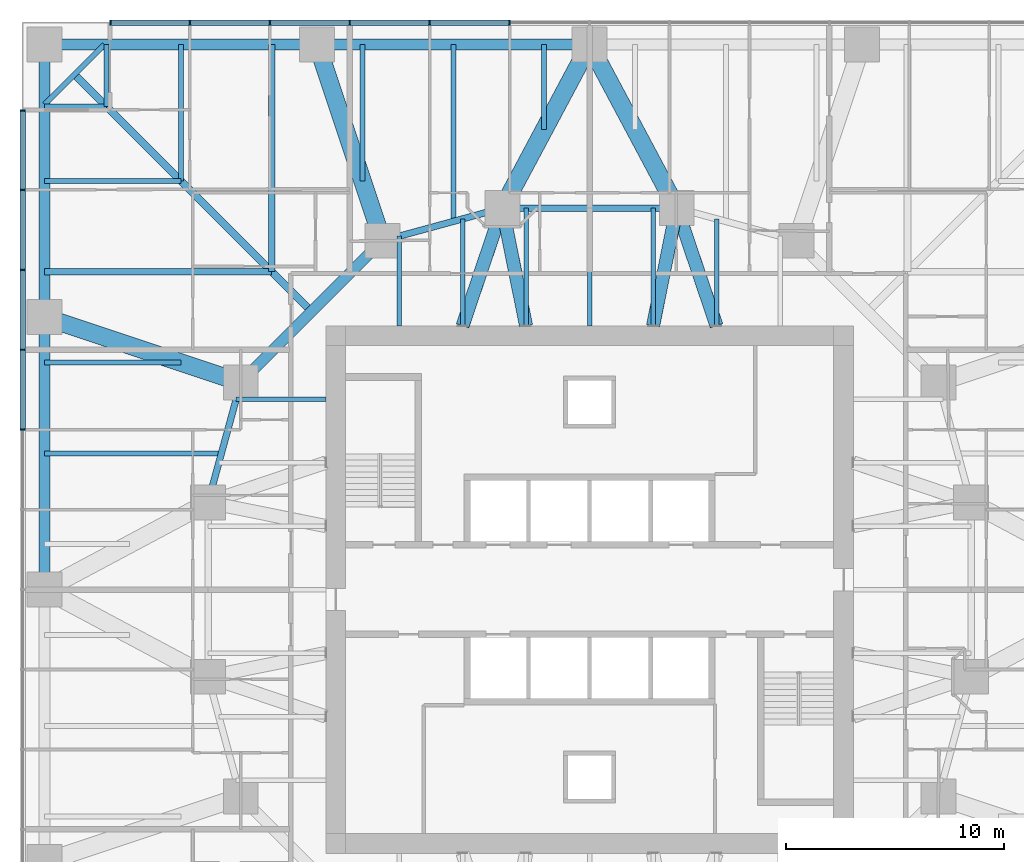
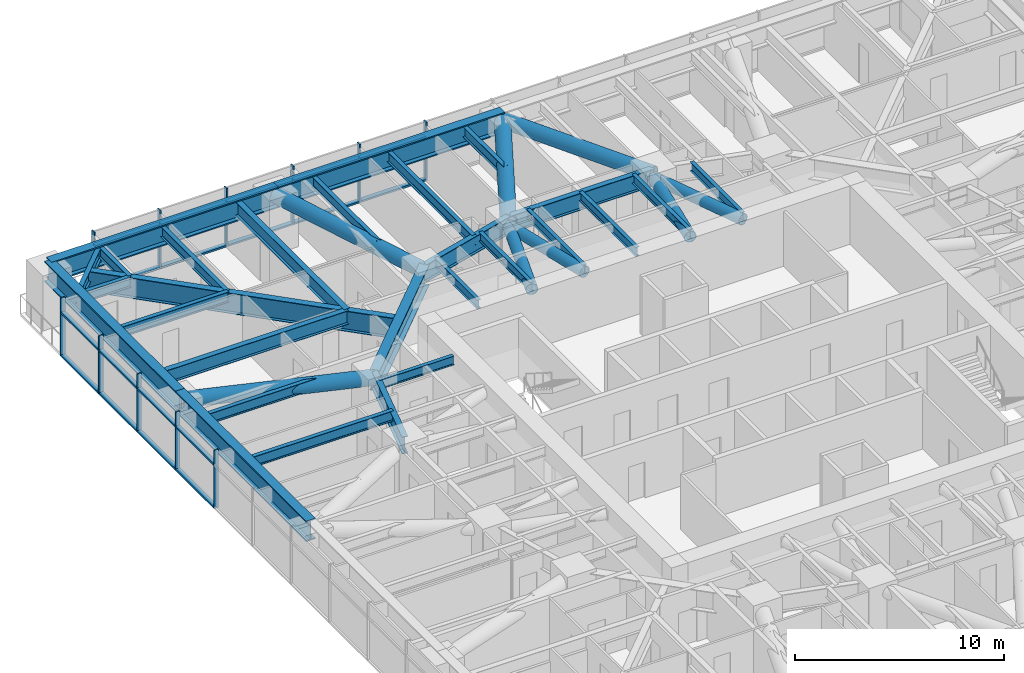
# One storey, part 6 of 17: 37 members, 28 beams, 2 elements without a shape of their own.
"""IFC4 building model written with IfcOpenShell, lengths in metres."""

from ifc_helpers import new_model, si_unit, direction, frame, origin, origin_2d, place, context, subcontext, project, spatial, rectangle, hollow_circle, i_section, extrude, material, material_profile, profile_set, type_object, element, aggregate, save


model = new_model("IFC4")

# Units and contexts
model_context = context("Model", 3, precision=1e-05, world=origin(), true_north=direction((0.0, 1.0)))
body_context = subcontext(model_context, "Body", "Model", "MODEL_VIEW")
ifc_project = project(units=[si_unit("LENGTHUNIT", "METRE"), si_unit("AREAUNIT", "SQUARE_METRE"), si_unit("VOLUMEUNIT", "CUBIC_METRE"), si_unit("PLANEANGLEUNIT", "RADIAN"), si_unit("MASSUNIT", "GRAM", prefix="KILO")], contexts=[model_context])

# Site, building, storey
site_placement = place(None, origin())
site = spatial("IfcSite", under=ifc_project, at=site_placement, CompositionType="ELEMENT")
building_placement = place(site_placement, origin())
building = spatial("IfcBuilding", under=site, at=building_placement, Name="Torsade Residences", CompositionType="ELEMENT")
storey_placement = place(building_placement, frame((0.0, 0.0, 38.800048828125)))
storey = spatial("IfcBuildingStorey", under=building, at=storey_placement, Name="L10", CompositionType="ELEMENT", Elevation=38.800048828125)

# Beams
ifc_material_1 = material(Name="Steel grade 300", Category="steel")
ifc_material_profile_1 = material_profile(ifc_material_1, i_section(OverallWidth=0.35009765625, OverallDepth=1.199951171875, WebThickness=0.01611328125, FlangeThickness=0.028076171875, at=origin_2d()), Name="1200WB278")
ifc_profile_set_1 = profile_set([ifc_material_profile_1], Name="Steel grade 300")
beam_type_1 = type_object("IfcBeamType", Name="CORNER GIRDER 1200WB278", PredefinedType="BEAM", material=ifc_profile_set_1)
beam_1_placement = place(storey_placement, frame((16.375, 53.625, 2.599853515625), z_axis=(0.707106781187, -0.707106781187, 0.0), x_axis=(0.707106781187, 0.707106781187, 0.0)))
element("IfcBeam", 1, at=beam_1_placement, inside=storey, type_object=beam_type_1, Name="Corner girder 13 L11", PredefinedType="BEAM", context=body_context, shape_type="SweptSolid", body=[
    extrude(i_section(OverallWidth=0.35009765625, OverallDepth=1.199951171875, WebThickness=0.01611328125, FlangeThickness=0.028076171875, at=origin_2d()), origin(), (0.0, 0.0, 1.0), 15.379638671875),
])
ifc_material_2 = material(Name="Steel grade 300", Category="steel")
ifc_material_profile_2 = material_profile(ifc_material_2, i_section(OverallWidth=0.25, OverallDepth=0.699951171875, WebThickness=0.010009765625, FlangeThickness=0.02001953125, at=origin_2d()), Name="700WB130")
ifc_profile_set_2 = profile_set([ifc_material_profile_2], Name="Steel grade 300")
beam_type_2 = type_object("IfcBeamType", Name="CORNER TRIMMER 700WB130", PredefinedType="BEAM", material=ifc_profile_set_2)
beam_2_placement = place(storey_placement, frame((15.0, 52.25, 2.849853515625), z_axis=(0.707106781187, 0.707106781187, 0.0), x_axis=(-0.707106781187, 0.707106781187, 0.0)))
element("IfcBeam", 2, at=beam_2_placement, inside=storey, type_object=beam_type_2, Name="Corner trimmer 13 L11", PredefinedType="BEAM", context=body_context, shape_type="SweptSolid", body=[
    extrude(i_section(OverallWidth=0.25, OverallDepth=0.699951171875, WebThickness=0.010009765625, FlangeThickness=0.02001953125, at=origin_2d()), origin(), (0.0, 0.0, 1.0), 3.88916015625),
])

# Curtain wall, members
ifc_material_3 = material(Name="Aluminium and glass", Category="aluminium")
curtain_wall_type = type_object("IfcCurtainWallType", Name="FRITTED GLASS CURTAIN WALL LOW ZONE", PredefinedType="NOTDEFINED", material=ifc_material_3)
curtain_wall_1_placement = place(storey_placement, origin())
curtain_wall_1 = element("IfcCurtainWall", 3, at=curtain_wall_1_placement, inside=storey, type_object=curtain_wall_type, Name="Curtain wall L10 face 7", PredefinedType="NOTDEFINED")
ifc_material_4 = material(Name="Aluminium mullion", Category="aluminium")
ifc_material_profile_3 = material_profile(ifc_material_4, rectangle(XDim=0.25, YDim=0.06494140625, at=origin_2d()), Name="CURTAIN WALL MULLION 250x65")
ifc_profile_set_3 = profile_set([ifc_material_profile_3], Name="Aluminium mullion")
member_type_1 = type_object("IfcMemberType", Name="CURTAIN WALL MULLION 250x65", PredefinedType="MULLION", material=ifc_profile_set_3)
member_1_placement = place(storey_placement, frame((36.333251953125, 56.0, 0.0), z_axis=(0.0, 0.0, 1.0), x_axis=(0.0, -1.0, 0.0)))
member_1 = element("IfcMember", 4, at=member_1_placement, type_object=member_type_1, Name="Mullion 8", PredefinedType="MULLION", context=body_context, shape_type="SweptSolid", body=[
    extrude(rectangle(XDim=0.25, YDim=0.06494140625, at=origin_2d()), origin(), (0.0, 0.0, 1.0), 3.39990234375),
])
member_2_placement = place(storey_placement, frame((32.666748046875, 56.0, 0.0), z_axis=(0.0, 0.0, 1.0), x_axis=(0.0, -1.0, 0.0)))
member_2 = element("IfcMember", 5, at=member_2_placement, type_object=member_type_1, Name="Mullion 9", PredefinedType="MULLION", context=body_context, shape_type="SweptSolid", body=[
    extrude(rectangle(XDim=0.25, YDim=0.06494140625, at=origin_2d()), origin(), (0.0, 0.0, 1.0), 3.39990234375),
])
member_3_placement = place(storey_placement, frame((29.0, 56.0, 0.0), z_axis=(0.0, 0.0, 1.0), x_axis=(0.0, -1.0, 0.0)))
member_3 = element("IfcMember", 6, at=member_3_placement, type_object=member_type_1, Name="Mullion 10", PredefinedType="MULLION", context=body_context, shape_type="SweptSolid", body=[
    extrude(rectangle(XDim=0.25, YDim=0.06494140625, at=origin_2d()), origin(), (0.0, 0.0, 1.0), 3.39990234375),
])
member_4_placement = place(storey_placement, frame((25.333251953125, 56.0, 0.0), z_axis=(0.0, 0.0, 1.0), x_axis=(0.0, -1.0, 0.0)))
member_4 = element("IfcMember", 7, at=member_4_placement, type_object=member_type_1, Name="Mullion 11", PredefinedType="MULLION", context=body_context, shape_type="SweptSolid", body=[
    extrude(rectangle(XDim=0.25, YDim=0.06494140625, at=origin_2d()), origin(), (0.0, 0.0, 1.0), 3.39990234375),
])
member_5_placement = place(storey_placement, frame((21.666748046875, 56.0, 0.0), z_axis=(0.0, 0.0, 1.0), x_axis=(0.0, -1.0, 0.0)))
member_5 = element("IfcMember", 8, at=member_5_placement, type_object=member_type_1, Name="Mullion 12", PredefinedType="MULLION", context=body_context, shape_type="SweptSolid", body=[
    extrude(rectangle(XDim=0.25, YDim=0.06494140625, at=origin_2d()), origin(), (0.0, 0.0, 1.0), 3.39990234375),
])
member_6_placement = place(storey_placement, frame((18.032470703125, 56.0, 0.0), z_axis=(0.0, 0.0, 1.0), x_axis=(0.0, -1.0, 0.0)))
member_6 = element("IfcMember", 9, at=member_6_placement, type_object=member_type_1, Name="Mullion 13", PredefinedType="MULLION", context=body_context, shape_type="SweptSolid", body=[
    extrude(rectangle(XDim=0.25, YDim=0.06494140625, at=origin_2d()), origin(), (0.0, 0.0, 1.0), 3.39990234375),
])

curtain_wall_2_placement = place(storey_placement, origin())
curtain_wall_2 = element("IfcCurtainWall", 10, at=curtain_wall_2_placement, inside=storey, type_object=curtain_wall_type, Name="Curtain wall L10 face 10", PredefinedType="NOTDEFINED")
member_7_placement = place(storey_placement, frame((14.0, 51.967529296875, 0.0), z_axis=(0.0, 0.0, 1.0), x_axis=(1.0, 0.0, 0.0)))
member_7 = element("IfcMember", 11, at=member_7_placement, type_object=member_type_1, Name="Mullion 1", PredefinedType="MULLION", context=body_context, shape_type="SweptSolid", body=[
    extrude(rectangle(XDim=0.25, YDim=0.06494140625, at=origin_2d()), origin(), (0.0, 0.0, 1.0), 3.39990234375),
])
member_8_placement = place(storey_placement, frame((14.0, 48.333251953125, 0.0), z_axis=(0.0, 0.0, 1.0), x_axis=(1.0, 0.0, 0.0)))
member_8 = element("IfcMember", 12, at=member_8_placement, type_object=member_type_1, Name="Mullion 2", PredefinedType="MULLION", context=body_context, shape_type="SweptSolid", body=[
    extrude(rectangle(XDim=0.25, YDim=0.06494140625, at=origin_2d()), origin(), (0.0, 0.0, 1.0), 3.39990234375),
])
member_9_placement = place(storey_placement, frame((14.0, 44.666748046875, 0.0), z_axis=(0.0, 0.0, 1.0), x_axis=(1.0, 0.0, 0.0)))
member_9 = element("IfcMember", 13, at=member_9_placement, type_object=member_type_1, Name="Mullion 3", PredefinedType="MULLION", context=body_context, shape_type="SweptSolid", body=[
    extrude(rectangle(XDim=0.25, YDim=0.06494140625, at=origin_2d()), origin(), (0.0, 0.0, 1.0), 3.39990234375),
])
member_10_placement = place(storey_placement, frame((14.0, 41.0, 0.0), z_axis=(0.0, 0.0, 1.0), x_axis=(1.0, 0.0, 0.0)))
member_10 = element("IfcMember", 14, at=member_10_placement, type_object=member_type_1, Name="Mullion 4", PredefinedType="MULLION", context=body_context, shape_type="SweptSolid", body=[
    extrude(rectangle(XDim=0.25, YDim=0.06494140625, at=origin_2d()), origin(), (0.0, 0.0, 1.0), 3.39990234375),
])
member_11_placement = place(storey_placement, frame((14.0, 37.333251953125, 0.0), z_axis=(0.0, 0.0, 1.0), x_axis=(1.0, 0.0, 0.0)))
member_11 = element("IfcMember", 15, at=member_11_placement, type_object=member_type_1, Name="Mullion 5", PredefinedType="MULLION", context=body_context, shape_type="SweptSolid", body=[
    extrude(rectangle(XDim=0.25, YDim=0.06494140625, at=origin_2d()), origin(), (0.0, 0.0, 1.0), 3.39990234375),
])

# Member
ifc_material_5 = material(Name="Aluminium transom", Category="aluminium")
ifc_material_profile_4 = material_profile(ifc_material_5, rectangle(XDim=0.25, YDim=0.10009765625, at=origin_2d()), Name="CURTAIN WALL TRANSOM 250x100")
ifc_profile_set_4 = profile_set([ifc_material_profile_4], Name="Aluminium transom")
member_type_2 = type_object("IfcMemberType", Name="CURTAIN WALL TRANSOM 250x100", PredefinedType="USERDEFINED", material=ifc_profile_set_4)
member_12_placement = place(storey_placement, frame((36.30078125, 56.0, 0.050048828125), z_axis=(-1.0, 0.0, 0.0), x_axis=(0.0, -1.0, 0.0)))
member_12 = element("IfcMember", 16, at=member_12_placement, type_object=member_type_2, Name="Transom 8.1", ObjectType="TRANSOM", PredefinedType="USERDEFINED", context=body_context, shape_type="SweptSolid", body=[
    extrude(rectangle(XDim=0.25, YDim=0.10009765625, at=origin_2d()), origin(), (0.0, 0.0, 1.0), 3.6015625),
])

member_13_placement = place(storey_placement, frame((36.30078125, 56.0, 2.550048828125), z_axis=(-1.0, 0.0, 0.0), x_axis=(0.0, -1.0, 0.0)))
member_13 = element("IfcMember", 17, at=member_13_placement, type_object=member_type_2, Name="Transom 8.2", ObjectType="TRANSOM", PredefinedType="USERDEFINED", context=body_context, shape_type="SweptSolid", body=[
    extrude(rectangle(XDim=0.25, YDim=0.10009765625, at=origin_2d()), origin(), (0.0, 0.0, 1.0), 3.6015625),
])

member_14_placement = place(storey_placement, frame((32.63427734375, 56.0, 0.050048828125), z_axis=(-1.0, 0.0, 0.0), x_axis=(0.0, -1.0, 0.0)))
member_14 = element("IfcMember", 18, at=member_14_placement, type_object=member_type_2, Name="Transom 9.1", ObjectType="TRANSOM", PredefinedType="USERDEFINED", context=body_context, shape_type="SweptSolid", body=[
    extrude(rectangle(XDim=0.25, YDim=0.10009765625, at=origin_2d()), origin(), (0.0, 0.0, 1.0), 3.601806640625),
])

member_15_placement = place(storey_placement, frame((32.63427734375, 56.0, 2.550048828125), z_axis=(-1.0, 0.0, 0.0), x_axis=(0.0, -1.0, 0.0)))
member_15 = element("IfcMember", 19, at=member_15_placement, type_object=member_type_2, Name="Transom 9.2", ObjectType="TRANSOM", PredefinedType="USERDEFINED", context=body_context, shape_type="SweptSolid", body=[
    extrude(rectangle(XDim=0.25, YDim=0.10009765625, at=origin_2d()), origin(), (0.0, 0.0, 1.0), 3.601806640625),
])

member_16_placement = place(storey_placement, frame((28.967529296875, 56.0, 0.050048828125), z_axis=(-1.0, 0.0, 0.0), x_axis=(0.0, -1.0, 0.0)))
member_16 = element("IfcMember", 20, at=member_16_placement, type_object=member_type_2, Name="Transom 10.1", ObjectType="TRANSOM", PredefinedType="USERDEFINED", context=body_context, shape_type="SweptSolid", body=[
    extrude(rectangle(XDim=0.25, YDim=0.10009765625, at=origin_2d()), origin(), (0.0, 0.0, 1.0), 3.601806640625),
])

member_17_placement = place(storey_placement, frame((28.967529296875, 56.0, 2.550048828125), z_axis=(-1.0, 0.0, 0.0), x_axis=(0.0, -1.0, 0.0)))
member_17 = element("IfcMember", 21, at=member_17_placement, type_object=member_type_2, Name="Transom 10.2", ObjectType="TRANSOM", PredefinedType="USERDEFINED", context=body_context, shape_type="SweptSolid", body=[
    extrude(rectangle(XDim=0.25, YDim=0.10009765625, at=origin_2d()), origin(), (0.0, 0.0, 1.0), 3.601806640625),
])

member_18_placement = place(storey_placement, frame((25.30078125, 56.0, 0.050048828125), z_axis=(-1.0, 0.0, 0.0), x_axis=(0.0, -1.0, 0.0)))
member_18 = element("IfcMember", 22, at=member_18_placement, type_object=member_type_2, Name="Transom 11.1", ObjectType="TRANSOM", PredefinedType="USERDEFINED", context=body_context, shape_type="SweptSolid", body=[
    extrude(rectangle(XDim=0.25, YDim=0.10009765625, at=origin_2d()), origin(), (0.0, 0.0, 1.0), 3.6015625),
])

member_19_placement = place(storey_placement, frame((25.30078125, 56.0, 2.550048828125), z_axis=(-1.0, 0.0, 0.0), x_axis=(0.0, -1.0, 0.0)))
member_19 = element("IfcMember", 23, at=member_19_placement, type_object=member_type_2, Name="Transom 11.2", ObjectType="TRANSOM", PredefinedType="USERDEFINED", context=body_context, shape_type="SweptSolid", body=[
    extrude(rectangle(XDim=0.25, YDim=0.10009765625, at=origin_2d()), origin(), (0.0, 0.0, 1.0), 3.6015625),
])

member_20_placement = place(storey_placement, frame((21.63427734375, 56.0, 0.050048828125), z_axis=(-1.0, 0.0, 0.0), x_axis=(0.0, -1.0, 0.0)))
member_20 = element("IfcMember", 24, at=member_20_placement, type_object=member_type_2, Name="Transom 12.1", ObjectType="TRANSOM", PredefinedType="USERDEFINED", context=body_context, shape_type="SweptSolid", body=[
    extrude(rectangle(XDim=0.25, YDim=0.10009765625, at=origin_2d()), origin(), (0.0, 0.0, 1.0), 3.5693359375),
])

member_21_placement = place(storey_placement, frame((21.63427734375, 56.0, 2.550048828125), z_axis=(-1.0, 0.0, 0.0), x_axis=(0.0, -1.0, 0.0)))
member_21 = element("IfcMember", 25, at=member_21_placement, type_object=member_type_2, Name="Transom 12.2", ObjectType="TRANSOM", PredefinedType="USERDEFINED", context=body_context, shape_type="SweptSolid", body=[
    extrude(rectangle(XDim=0.25, YDim=0.10009765625, at=origin_2d()), origin(), (0.0, 0.0, 1.0), 3.5693359375),
])

aggregate(curtain_wall_1, [member_1, member_2, member_3, member_4, member_5, member_6, member_12, member_13, member_14, member_15, member_16, member_17, member_18, member_19, member_20, member_21])

member_22_placement = place(storey_placement, frame((14.0, 51.93505859375, 0.050048828125), z_axis=(0.0, -1.0, 0.0), x_axis=(1.0, 0.0, 0.0)))
member_22 = element("IfcMember", 26, at=member_22_placement, type_object=member_type_2, Name="Transom 1.1", ObjectType="TRANSOM", PredefinedType="USERDEFINED", context=body_context, shape_type="SweptSolid", body=[
    extrude(rectangle(XDim=0.25, YDim=0.10009765625, at=origin_2d()), origin(), (0.0, 0.0, 1.0), 3.5693359375),
])

member_23_placement = place(storey_placement, frame((14.0, 51.93505859375, 2.550048828125), z_axis=(0.0, -1.0, 0.0), x_axis=(1.0, 0.0, 0.0)))
member_23 = element("IfcMember", 27, at=member_23_placement, type_object=member_type_2, Name="Transom 1.2", ObjectType="TRANSOM", PredefinedType="USERDEFINED", context=body_context, shape_type="SweptSolid", body=[
    extrude(rectangle(XDim=0.25, YDim=0.10009765625, at=origin_2d()), origin(), (0.0, 0.0, 1.0), 3.5693359375),
])

member_24_placement = place(storey_placement, frame((14.0, 48.30078125, 0.050048828125), z_axis=(0.0, -1.0, 0.0), x_axis=(1.0, 0.0, 0.0)))
member_24 = element("IfcMember", 28, at=member_24_placement, type_object=member_type_2, Name="Transom 2.1", ObjectType="TRANSOM", PredefinedType="USERDEFINED", context=body_context, shape_type="SweptSolid", body=[
    extrude(rectangle(XDim=0.25, YDim=0.10009765625, at=origin_2d()), origin(), (0.0, 0.0, 1.0), 3.6015625),
])

member_25_placement = place(storey_placement, frame((14.0, 48.30078125, 2.550048828125), z_axis=(0.0, -1.0, 0.0), x_axis=(1.0, 0.0, 0.0)))
member_25 = element("IfcMember", 29, at=member_25_placement, type_object=member_type_2, Name="Transom 2.2", ObjectType="TRANSOM", PredefinedType="USERDEFINED", context=body_context, shape_type="SweptSolid", body=[
    extrude(rectangle(XDim=0.25, YDim=0.10009765625, at=origin_2d()), origin(), (0.0, 0.0, 1.0), 3.6015625),
])

member_26_placement = place(storey_placement, frame((14.0, 44.63427734375, 0.050048828125), z_axis=(0.0, -1.0, 0.0), x_axis=(1.0, 0.0, 0.0)))
member_26 = element("IfcMember", 30, at=member_26_placement, type_object=member_type_2, Name="Transom 3.1", ObjectType="TRANSOM", PredefinedType="USERDEFINED", context=body_context, shape_type="SweptSolid", body=[
    extrude(rectangle(XDim=0.25, YDim=0.10009765625, at=origin_2d()), origin(), (0.0, 0.0, 1.0), 3.601806640625),
])

member_27_placement = place(storey_placement, frame((14.0, 44.63427734375, 2.550048828125), z_axis=(0.0, -1.0, 0.0), x_axis=(1.0, 0.0, 0.0)))
member_27 = element("IfcMember", 31, at=member_27_placement, type_object=member_type_2, Name="Transom 3.2", ObjectType="TRANSOM", PredefinedType="USERDEFINED", context=body_context, shape_type="SweptSolid", body=[
    extrude(rectangle(XDim=0.25, YDim=0.10009765625, at=origin_2d()), origin(), (0.0, 0.0, 1.0), 3.601806640625),
])

member_28_placement = place(storey_placement, frame((14.0, 40.967529296875, 0.050048828125), z_axis=(0.0, -1.0, 0.0), x_axis=(1.0, 0.0, 0.0)))
member_28 = element("IfcMember", 32, at=member_28_placement, type_object=member_type_2, Name="Transom 4.1", ObjectType="TRANSOM", PredefinedType="USERDEFINED", context=body_context, shape_type="SweptSolid", body=[
    extrude(rectangle(XDim=0.25, YDim=0.10009765625, at=origin_2d()), origin(), (0.0, 0.0, 1.0), 3.601806640625),
])

member_29_placement = place(storey_placement, frame((14.0, 40.967529296875, 2.550048828125), z_axis=(0.0, -1.0, 0.0), x_axis=(1.0, 0.0, 0.0)))
member_29 = element("IfcMember", 33, at=member_29_placement, type_object=member_type_2, Name="Transom 4.2", ObjectType="TRANSOM", PredefinedType="USERDEFINED", context=body_context, shape_type="SweptSolid", body=[
    extrude(rectangle(XDim=0.25, YDim=0.10009765625, at=origin_2d()), origin(), (0.0, 0.0, 1.0), 3.601806640625),
])

aggregate(curtain_wall_2, [member_7, member_8, member_9, member_10, member_11, member_22, member_23, member_24, member_25, member_26, member_27, member_28, member_29])

# Beams
ifc_material_6 = material(Name="Steel grade 300", Category="steel")
ifc_material_profile_5 = material_profile(ifc_material_6, i_section(OverallWidth=0.208984375, OverallDepth=0.528076171875, WebThickness=0.009521484375, FlangeThickness=0.01318359375, FilletRadius=0.013916015625, at=origin_2d()), Name="530UB82.0")
ifc_profile_set_5 = profile_set([ifc_material_profile_5], Name="Steel grade 300")
beam_type_3 = type_object("IfcBeamType", Name="INNER FLOOR BEAM 530UB82.0", PredefinedType="JOIST", material=ifc_profile_set_5)
beam_3_placement = place(storey_placement, frame((31.262451171875, 42.10009765625, 2.93603515625), z_axis=(0.0, 1.0, 0.0), x_axis=(-1.0, 0.0, 0.0)))
element("IfcBeam", 34, at=beam_3_placement, inside=storey, type_object=beam_type_3, Name="Inner floor beam IN01 L11", PredefinedType="JOIST", context=body_context, shape_type="SweptSolid", body=[
    extrude(i_section(OverallWidth=0.208984375, OverallDepth=0.528076171875, WebThickness=0.009521484375, FlangeThickness=0.01318359375, FilletRadius=0.013916015625, at=origin_2d()), origin(), (0.0, 0.0, 1.0), 4.10791015625),
])
beam_4_placement = place(storey_placement, frame((34.175048828125, 42.10009765625, 2.93603515625), z_axis=(0.0, 1.0, 0.0), x_axis=(-1.0, 0.0, 0.0)))
element("IfcBeam", 35, at=beam_4_placement, inside=storey, type_object=beam_type_3, Name="Inner floor beam IN02 L11", PredefinedType="JOIST", context=body_context, shape_type="SweptSolid", body=[
    extrude(i_section(OverallWidth=0.208984375, OverallDepth=0.528076171875, WebThickness=0.009521484375, FlangeThickness=0.01318359375, FilletRadius=0.013916015625, at=origin_2d()), origin(), (0.0, 0.0, 1.0), 4.902099609375),
])
for number, where, z_axis, x_axis, name in (
    (36, (37.08740234375, 42.10009765625, 2.93603515625), (0.0, 1.0, 0.0), (-1.0, 0.0, 0.0), "Inner floor beam IN03 L11"),
    (37, (40.0, 42.10009765625, 2.93603515625), (0.0, 1.0, 0.0), (-1.0, 0.0, 0.0), "Inner floor beam IN04 L11"),
    (38, (42.91259765625, 42.10009765625, 2.93603515625), (0.0, 1.0, 0.0), (-1.0, 0.0, 0.0), "Inner floor beam IN05 L11"),
):
    element("IfcBeam", number, at=place(storey_placement, frame(where, z_axis=z_axis, x_axis=x_axis)), inside=storey, type_object=beam_type_3, Name=name, PredefinedType="JOIST", context=body_context, shape_type="SweptSolid", body=[
        extrude(i_section(OverallWidth=0.208984375, OverallDepth=0.528076171875, WebThickness=0.009521484375, FlangeThickness=0.01318359375, FilletRadius=0.013916015625, at=origin_2d()), origin(), (0.0, 0.0, 1.0), 5.39990234375),
    ])
beam_5_placement = place(storey_placement, frame((45.824951171875, 42.10009765625, 2.93603515625), z_axis=(0.0, 1.0, 0.0), x_axis=(-1.0, 0.0, 0.0)))
element("IfcBeam", 39, at=beam_5_placement, inside=storey, type_object=beam_type_3, Name="Inner floor beam IN06 L11", PredefinedType="JOIST", context=body_context, shape_type="SweptSolid", body=[
    extrude(i_section(OverallWidth=0.208984375, OverallDepth=0.528076171875, WebThickness=0.009521484375, FlangeThickness=0.01318359375, FilletRadius=0.013916015625, at=origin_2d()), origin(), (0.0, 0.0, 1.0), 4.902099609375),
])
beam_6_placement = place(storey_placement, frame((27.89990234375, 38.737548828125, 2.93603515625), z_axis=(-1.0, 0.0, 0.0), x_axis=(0.0, -1.0, 0.0)))
element("IfcBeam", 40, at=beam_6_placement, inside=storey, type_object=beam_type_3, Name="Inner floor beam IW01 L11", PredefinedType="JOIST", context=body_context, shape_type="SweptSolid", body=[
    extrude(i_section(OverallWidth=0.208984375, OverallDepth=0.528076171875, WebThickness=0.009521484375, FlangeThickness=0.01318359375, FilletRadius=0.013916015625, at=origin_2d()), origin(), (0.0, 0.0, 1.0), 4.10791015625),
])
ifc_material_7 = material(Name="Steel grade 300", Category="steel")
ifc_material_profile_6 = material_profile(ifc_material_7, i_section(OverallWidth=0.5, OverallDepth=1.199951171875, WebThickness=0.01611328125, FlangeThickness=0.0400390625, at=origin_2d()), Name="1200WB455")
ifc_profile_set_6 = profile_set([ifc_material_profile_6], Name="Steel grade 300")
beam_type_4 = type_object("IfcBeamType", Name="RING CORNER GIRDER 1200WB455", PredefinedType="BEAM", material=ifc_profile_set_6)
beam_7_placement = place(storey_placement, frame((30.5, 46.0, 2.599853515625), z_axis=(-0.707106781187, -0.707106781187, 0.0), x_axis=(0.707106781187, -0.707106781187, 0.0)))
element("IfcBeam", 41, at=beam_7_placement, inside=storey, type_object=beam_type_4, Name="Ring girder IR07 L11", PredefinedType="BEAM", context=body_context, shape_type="SweptSolid", body=[
    extrude(i_section(OverallWidth=0.5, OverallDepth=1.199951171875, WebThickness=0.01611328125, FlangeThickness=0.0400390625, at=origin_2d()), origin(), (0.0, 0.0, 1.0), 9.1923828125),
])
ifc_material_8 = material(Name="Steel grade 300", Category="steel")
ifc_material_profile_7 = material_profile(ifc_material_8, i_section(OverallWidth=0.300048828125, OverallDepth=1.0, WebThickness=0.01611328125, FlangeThickness=0.028076171875, at=origin_2d()), Name="1000WB215")
ifc_profile_set_7 = profile_set([ifc_material_profile_7], Name="Steel grade 300")
beam_type_5 = type_object("IfcBeamType", Name="RING GIRDER 1000WB215", PredefinedType="BEAM", material=ifc_profile_set_7)
beam_8_placement = place(storey_placement, frame((44.0, 47.5, 2.699951171875), z_axis=(-1.0, 0.0, 0.0), x_axis=(0.0, -1.0, 0.0)))
element("IfcBeam", 42, at=beam_8_placement, inside=storey, type_object=beam_type_5, Name="Ring girder IR05 L11", PredefinedType="BEAM", context=body_context, shape_type="SweptSolid", body=[
    extrude(i_section(OverallWidth=0.300048828125, OverallDepth=1.0, WebThickness=0.01611328125, FlangeThickness=0.028076171875, at=origin_2d()), origin(), (0.0, 0.0, 1.0), 8.0),
])
for number, where, z_axis, x_axis, name in (
    (43, (36.0, 47.5, 2.699951171875), (-0.964763821238, -0.263117405792, 0.0), (0.263117405792, -0.964763821238, 0.0), "Ring girder IR06 L11"),
    (44, (24.0, 39.5, 2.699951171875), (-0.263117405792, -0.964763821238, 0.0), (0.964763821238, -0.263117405792, 0.0), "Ring girder IR08 L11"),
):
    element("IfcBeam", number, at=place(storey_placement, frame(where, z_axis=z_axis, x_axis=x_axis)), inside=storey, type_object=beam_type_5, Name=name, PredefinedType="BEAM", context=body_context, shape_type="SweptSolid", body=[
        extrude(i_section(OverallWidth=0.300048828125, OverallDepth=1.0, WebThickness=0.01611328125, FlangeThickness=0.028076171875, at=origin_2d()), origin(), (0.0, 0.0, 1.0), 5.700927734375),
    ])
ifc_material_9 = material(Name="Steel grade 300", Category="steel")
ifc_material_profile_8 = material_profile(ifc_material_9, i_section(OverallWidth=0.22900390625, OverallDepth=0.612060546875, WebThickness=0.011962890625, FlangeThickness=0.01953125, FilletRadius=0.013916015625, at=origin_2d()), Name="610UB125")
ifc_profile_set_8 = profile_set([ifc_material_profile_8], Name="Steel grade 300")
beam_type_6 = type_object("IfcBeamType", Name="SECONDARY BEAM 610UB125", PredefinedType="JOIST", material=ifc_profile_set_8)
beam_9_placement = place(storey_placement, frame((37.916748046875, 55.0, 2.89404296875), z_axis=(0.0, -1.0, 0.0), x_axis=(1.0, 0.0, 0.0)))
element("IfcBeam", 45, at=beam_9_placement, inside=storey, type_object=beam_type_6, Name="Floor beam FN07 L11", PredefinedType="JOIST", context=body_context, shape_type="SweptSolid", body=[
    extrude(i_section(OverallWidth=0.22900390625, OverallDepth=0.612060546875, WebThickness=0.011962890625, FlangeThickness=0.01953125, FilletRadius=0.013916015625, at=origin_2d()), origin(), (0.0, 0.0, 1.0), 3.90625),
])
beam_10_placement = place(storey_placement, frame((33.75, 55.0, 2.89404296875), z_axis=(0.0, -1.0, 0.0), x_axis=(1.0, 0.0, 0.0)))
element("IfcBeam", 46, at=beam_10_placement, inside=storey, type_object=beam_type_6, Name="Floor beam FN08 L11", PredefinedType="JOIST", context=body_context, shape_type="SweptSolid", body=[
    extrude(i_section(OverallWidth=0.22900390625, OverallDepth=0.612060546875, WebThickness=0.011962890625, FlangeThickness=0.01953125, FilletRadius=0.013916015625, at=origin_2d()), origin(), (0.0, 0.0, 1.0), 8.113525390625),
])
for number, where, z_axis, x_axis, name in (
    (47, (29.583251953125, 55.0, 2.89404296875), (0.0, -1.0, 0.0), (1.0, 0.0, 0.0), "Floor beam FN09 L11"),
    (48, (21.25, 55.0, 2.89404296875), (0.0, -1.0, 0.0), (1.0, 0.0, 0.0), "Floor beam FN11 L11"),
):
    element("IfcBeam", number, at=place(storey_placement, frame(where, z_axis=z_axis, x_axis=x_axis)), inside=storey, type_object=beam_type_6, Name=name, PredefinedType="JOIST", context=body_context, shape_type="SweptSolid", body=[
        extrude(i_section(OverallWidth=0.22900390625, OverallDepth=0.612060546875, WebThickness=0.011962890625, FlangeThickness=0.01953125, FilletRadius=0.013916015625, at=origin_2d()), origin(), (0.0, 0.0, 1.0), 6.25),
    ])
for number, where, z_axis, x_axis, name in (
    (49, (17.833251953125, 55.0, 2.89404296875), (0.0, -1.0, 0.0), (1.0, 0.0, 0.0), "Floor beam FN12 L11"),
    (50, (15.0, 52.166748046875, 2.89404296875), (1.0, 0.0, 0.0), (0.0, 1.0, 0.0), "Floor beam FW01 L11"),
):
    element("IfcBeam", number, at=place(storey_placement, frame(where, z_axis=z_axis, x_axis=x_axis)), inside=storey, type_object=beam_type_6, Name=name, PredefinedType="JOIST", context=body_context, shape_type="SweptSolid", body=[
        extrude(i_section(OverallWidth=0.22900390625, OverallDepth=0.612060546875, WebThickness=0.011962890625, FlangeThickness=0.01953125, FilletRadius=0.013916015625, at=origin_2d()), origin(), (0.0, 0.0, 1.0), 2.833251953125),
    ])
for number, where, z_axis, x_axis, name in (
    (51, (15.0, 48.75, 2.89404296875), (1.0, 0.0, 0.0), (0.0, 1.0, 0.0), "Floor beam FW02 L11"),
    (52, (15.0, 40.416748046875, 2.89404296875), (1.0, 0.0, 0.0), (0.0, 1.0, 0.0), "Floor beam FW04 L11"),
):
    element("IfcBeam", number, at=place(storey_placement, frame(where, z_axis=z_axis, x_axis=x_axis)), inside=storey, type_object=beam_type_6, Name=name, PredefinedType="JOIST", context=body_context, shape_type="SweptSolid", body=[
        extrude(i_section(OverallWidth=0.22900390625, OverallDepth=0.612060546875, WebThickness=0.011962890625, FlangeThickness=0.01953125, FilletRadius=0.013916015625, at=origin_2d()), origin(), (0.0, 0.0, 1.0), 6.25),
    ])
beam_11_placement = place(storey_placement, frame((15.0, 36.25, 2.89404296875), z_axis=(1.0, 0.0, 0.0), x_axis=(0.0, 1.0, 0.0)))
element("IfcBeam", 53, at=beam_11_placement, inside=storey, type_object=beam_type_6, Name="Floor beam FW05 L11", PredefinedType="JOIST", context=body_context, shape_type="SweptSolid", body=[
    extrude(i_section(OverallWidth=0.22900390625, OverallDepth=0.612060546875, WebThickness=0.011962890625, FlangeThickness=0.01953125, FilletRadius=0.013916015625, at=origin_2d()), origin(), (0.0, 0.0, 1.0), 8.113525390625),
])
ifc_material_10 = material(Name="Steel grade 300", Category="steel")
ifc_material_profile_9 = material_profile(ifc_material_10, i_section(OverallWidth=0.300048828125, OverallDepth=0.800048828125, WebThickness=0.010009765625, FlangeThickness=0.02001953125, at=origin_2d()), Name="800WB146")
ifc_profile_set_9 = profile_set([ifc_material_profile_9], Name="Steel grade 300")
beam_type_7 = type_object("IfcBeamType", Name="SECONDARY BEAM 800WB146", PredefinedType="JOIST", material=ifc_profile_set_9)
for number, where, z_axis, x_axis, name in (
    (54, (25.416748046875, 55.0, 2.800048828125), (0.0, -1.0, 0.0), (1.0, 0.0, 0.0), "Floor beam FN10 L11"),
    (55, (15.0, 44.583251953125, 2.800048828125), (1.0, 0.0, 0.0), (0.0, 1.0, 0.0), "Floor beam FW03 L11"),
):
    element("IfcBeam", number, at=place(storey_placement, frame(where, z_axis=z_axis, x_axis=x_axis)), inside=storey, type_object=beam_type_7, Name=name, PredefinedType="JOIST", context=body_context, shape_type="SweptSolid", body=[
        extrude(i_section(OverallWidth=0.300048828125, OverallDepth=0.800048828125, WebThickness=0.010009765625, FlangeThickness=0.02001953125, at=origin_2d()), origin(), (0.0, 0.0, 1.0), 10.416748046875),
    ])

# Members
ifc_material_11 = material(Name="Steel grade 450", Category="steel")
ifc_material_profile_10 = material_profile(ifc_material_11, hollow_circle(Radius=0.304931640625, WallThickness=0.01611328125, at=origin_2d()), Name="610.0x16.0CHS")
ifc_profile_set_10 = profile_set([ifc_material_profile_10], Name="Steel grade 450")
member_type_3 = type_object("IfcMemberType", Name="TRANSFER FLOOR BRACE 610.0x16.0CHS", PredefinedType="BRACE", material=ifc_profile_set_10)
member_30_placement = place(storey_placement, frame((44.0, 47.5, 2.599853515625), z_axis=(-0.197299045909, -0.97976207845, 0.03375434957), x_axis=(0.980320704809, -0.197411538983, 0.0)))
element("IfcMember", 56, at=member_30_placement, inside=storey, type_object=member_type_3, Name="Transfer floor brace TT1 bottom IR05IN05", PredefinedType="BRACE", context=body_context, shape_type="SweptSolid", body=[
    extrude(hollow_circle(Radius=0.304931640625, WallThickness=0.01611328125, at=origin_2d()), origin(), (0.0, 0.0, 1.0), 5.511474609375),
])
member_31_placement = place(storey_placement, frame((44.0, 47.5, 2.599853515625), z_axis=(0.319999474368, -0.946855969774, 0.032620682203), x_axis=(0.947360151124, 0.320169867513, 0.0)))
element("IfcMember", 57, at=member_31_placement, inside=storey, type_object=member_type_3, Name="Transfer floor brace TT1 bottom IR05IN06", PredefinedType="BRACE", context=body_context, shape_type="SweptSolid", body=[
    extrude(hollow_circle(Radius=0.304931640625, WallThickness=0.01611328125, at=origin_2d()), origin(), (0.0, 0.0, 1.0), 5.702880859375),
])
member_32_placement = place(storey_placement, frame((36.0, 47.5, 2.599853515625), z_axis=(0.197299045909, -0.97976207845, 0.03375434957), x_axis=(0.980320704809, 0.197411538983, 0.0)))
element("IfcMember", 58, at=member_32_placement, inside=storey, type_object=member_type_3, Name="Transfer floor brace TT1 bottom IR06IN03", PredefinedType="BRACE", context=body_context, shape_type="SweptSolid", body=[
    extrude(hollow_circle(Radius=0.304931640625, WallThickness=0.01611328125, at=origin_2d()), origin(), (0.0, 0.0, 1.0), 5.511474609375),
])
member_33_placement = place(storey_placement, frame((36.0, 47.5, 2.599853515625), z_axis=(-0.319999474368, -0.946855969774, 0.032620682203), x_axis=(0.947360151124, -0.320169867513, 0.0)))
element("IfcMember", 59, at=member_33_placement, inside=storey, type_object=member_type_3, Name="Transfer floor brace TT1 bottom IR06IN02", PredefinedType="BRACE", context=body_context, shape_type="SweptSolid", body=[
    extrude(hollow_circle(Radius=0.304931640625, WallThickness=0.01611328125, at=origin_2d()), origin(), (0.0, 0.0, 1.0), 5.702880859375),
])
ifc_material_12 = material(Name="Steel grade 450", Category="steel")
ifc_material_profile_11 = material_profile(ifc_material_12, hollow_circle(Radius=0.406494140625, WallThickness=0.02490234375, at=origin_2d()), Name="813.0x25.0CHS")
ifc_profile_set_11 = profile_set([ifc_material_profile_11], Name="Steel grade 450")
member_type_4 = type_object("IfcMemberType", Name="TRANSFER FLOOR STRUT 813.0x25.0CHS", PredefinedType="STRUT", material=ifc_profile_set_11)
for number, where, z_axis, x_axis, name in (
    (60, (40.0, 55.0, 2.800048828125), (0.470588235294, -0.882352941176, 0.0), (0.882352941176, 0.470588235294, 0.0), "Transfer floor strut TT1 bottom 11IR05"),
    (61, (40.0, 55.0, 2.800048828125), (-0.470588235294, -0.882352941176, 0.0), (0.882352941176, -0.470588235294, 0.0), "Transfer floor strut TT1 bottom 11IR06"),
):
    element("IfcMember", number, at=place(storey_placement, frame(where, z_axis=z_axis, x_axis=x_axis)), inside=storey, type_object=member_type_4, Name=name, PredefinedType="STRUT", context=body_context, shape_type="SweptSolid", body=[
        extrude(hollow_circle(Radius=0.406494140625, WallThickness=0.02490234375, at=origin_2d()), origin(), (0.0, 0.0, 1.0), 8.5),
    ])
for number, where, z_axis, x_axis, name in (
    (62, (27.5, 55.0, 2.800048828125), (0.316227766017, -0.948683298051, 0.0), (0.948683298051, 0.316227766017, 0.0), "Transfer floor strut TT1 bottom 12IR07"),
    (63, (15.0, 42.5, 2.800048828125), (0.948683298051, -0.316227766017, 0.0), (0.316227766017, 0.948683298051, 0.0), "Transfer floor strut TT1 bottom 14IR08"),
):
    element("IfcMember", number, at=place(storey_placement, frame(where, z_axis=z_axis, x_axis=x_axis)), inside=storey, type_object=member_type_4, Name=name, PredefinedType="STRUT", context=body_context, shape_type="SweptSolid", body=[
        extrude(hollow_circle(Radius=0.406494140625, WallThickness=0.02490234375, at=origin_2d()), origin(), (0.0, 0.0, 1.0), 9.48681640625),
    ])

# Beams
ifc_material_13 = material(Name="Steel grade 350", Category="steel")
ifc_material_profile_12 = material_profile(ifc_material_13, i_section(OverallWidth=0.5, OverallDepth=1.199951171875, WebThickness=0.0400390625, FlangeThickness=0.070068359375, at=origin_2d()), Name="1200x500x70x40WPG")
ifc_profile_set_12 = profile_set([ifc_material_profile_12], Name="Steel grade 350")
beam_type_8 = type_object("IfcBeamType", Name="TRANSFER TRUSS CHORD 1200x500x70x40WPG", PredefinedType="USERDEFINED", material=ifc_profile_set_12)
for number, where, z_axis, x_axis, name in (
    (64, (40.0, 55.0, 2.800048828125), (-1.0, 0.0, 0.0), (0.0, -1.0, 0.0), "Transfer truss TT1 bottom chord 11"),
    (65, (27.5, 55.0, 2.800048828125), (-1.0, 0.0, 0.0), (0.0, -1.0, 0.0), "Transfer truss TT1 bottom chord 12"),
    (66, (15.0, 55.0, 2.800048828125), (0.0, -1.0, 0.0), (1.0, 0.0, 0.0), "Transfer truss TT1 bottom chord 13"),
    (67, (15.0, 42.5, 2.800048828125), (0.0, -1.0, 0.0), (1.0, 0.0, 0.0), "Transfer truss TT1 bottom chord 14"),
):
    element("IfcBeam", number, at=place(storey_placement, frame(where, z_axis=z_axis, x_axis=x_axis)), inside=storey, type_object=beam_type_8, Name=name, ObjectType="TRANSFER TRUSS CHORD", PredefinedType="USERDEFINED", context=body_context, shape_type="SweptSolid", body=[
        extrude(i_section(OverallWidth=0.5, OverallDepth=1.199951171875, WebThickness=0.0400390625, FlangeThickness=0.070068359375, at=origin_2d()), origin(), (0.0, 0.0, 1.0), 12.5),
    ])

save(model, "model.ifc")
